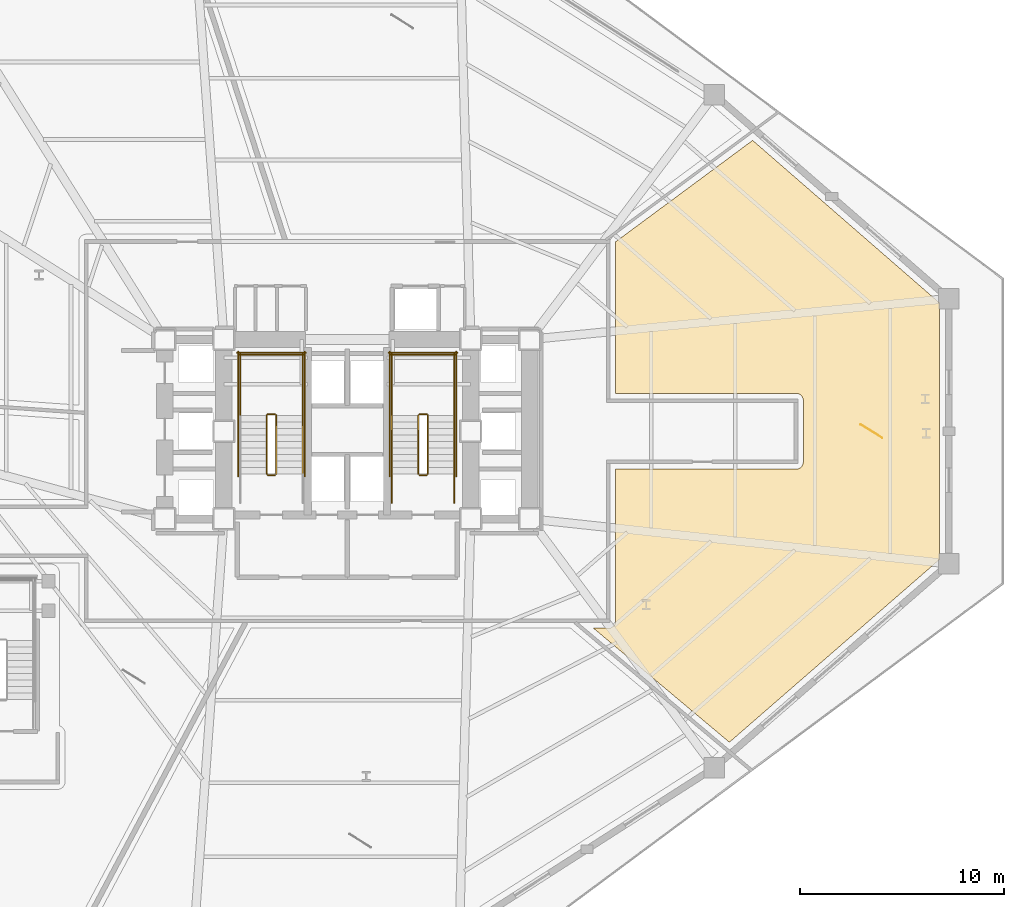
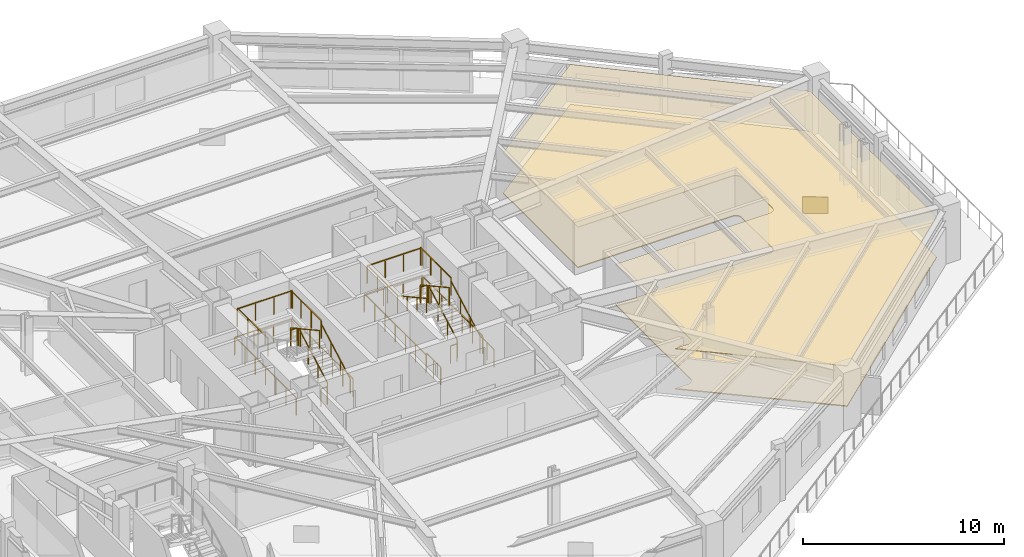
# One storey, part 11 of 12: 25 railings, 3 coverings.
"""IFC4 building model written with IfcOpenShell, lengths in metres."""

import ifcopenshell
import ifcopenshell.guid

model = None  # the IFC model being written
_history = None  # IfcOwnerHistory: only IFC2X3 demands one
_inside = {}  # id of a spatial element -> (the spatial element, [elements in it])
_under = {}  # id of a project, library or spatial element -> (it, [spatial elements below it])
_declared = {}  # id of a project -> (the project, [libraries it declares])
_typed = {}  # id of a type object -> (the type object, [elements of that type])
_made_of = {}  # id of a material, layer set ... -> (it, [elements and type objects made of it])


def new_model(schema):
    """Start an empty IFC model of exactly this schema.

    Asked for "IFC4X3", IfcOpenShell would pick the latest addendum, in which some entities
    have other attributes; the version numbers below select the first issue.
    IFC2X3 requires an IfcOwnerHistory on every rooted entity: one is made here for all.
    """
    global model, _history
    if schema == "IFC4X3":
        model = ifcopenshell.file(schema_version=(4, 3, 0, 0))
    else:
        model = ifcopenshell.file(schema=schema)
    _inside.clear()
    _under.clear()
    _declared.clear()
    _typed.clear()
    _made_of.clear()
    _history = None
    if model.schema == "IFC2X3":
        org = make("IfcOrganization", Name="unknown")
        user = make(
            "IfcPersonAndOrganization",
            ThePerson=make("IfcPerson", FamilyName="unknown"),
            TheOrganization=org,
        )
        app = make(
            "IfcApplication",
            ApplicationDeveloper=org,
            Version="unknown",
            ApplicationFullName="unknown",
            ApplicationIdentifier="unknown",
        )
        _history = make(
            "IfcOwnerHistory",
            OwningUser=user,
            OwningApplication=app,
            ChangeAction="ADDED",
            CreationDate=0,
        )
    return model


def make(cls, **values):
    """One entity of the class cls with the attributes given. An attribute that is None is left unset."""
    return model.create_entity(
        cls, **{name: value for name, value in values.items() if value is not None}
    )


def rooted(cls, **values):
    """An entity with a GlobalId (a new one), such as an element, a storey or a relation."""
    return make(cls, GlobalId=ifcopenshell.guid.new(), OwnerHistory=_history, **values)


def si_unit(unit_type, name, prefix=None):
    """IfcSIUnit, for example si_unit("LENGTHUNIT", "METRE", prefix="MILLI")."""
    return make("IfcSIUnit", UnitType=unit_type, Prefix=prefix, Name=name)


def assignment(units):
    """IfcUnitAssignment: the units of a project."""
    return None if units is None else make("IfcUnitAssignment", Units=units)


def point(xyz):
    """IfcCartesianPoint."""
    return None if xyz is None else make("IfcCartesianPoint", Coordinates=xyz)


def direction(xyz):
    """IfcDirection."""
    return None if xyz is None else make("IfcDirection", DirectionRatios=xyz)


def frame(location, z_axis=None, x_axis=None):
    """IfcAxis2Placement3D, a coordinate frame: its origin and axes. An axis left out is left unset."""
    return make(
        "IfcAxis2Placement3D",
        Location=point(location),
        Axis=direction(z_axis),
        RefDirection=direction(x_axis),
    )


def frame_2d(location, x_axis=None):
    """IfcAxis2Placement2D, a coordinate frame in the plane: its origin and x axis."""
    return make(
        "IfcAxis2Placement2D", Location=point(location), RefDirection=direction(x_axis)
    )


def origin():
    """The frame at (0, 0, 0) with its axes left unset."""
    return frame((0.0, 0.0, 0.0))


def origin_2d():
    """The frame at (0, 0) in the plane with its x axis left unset."""
    return frame_2d((0.0, 0.0))


def place(relative_to, where):
    """IfcLocalPlacement: puts the frame where relative to a parent placement (None: the world)."""
    return make(
        "IfcLocalPlacement", PlacementRelTo=relative_to, RelativePlacement=where
    )


def context(
    kind, dimensions, precision=None, world=None, true_north=None, identifier=None
):
    """IfcGeometricRepresentationContext, for example the 3D "Model" context."""
    return make(
        "IfcGeometricRepresentationContext",
        ContextIdentifier=identifier,
        ContextType=kind,
        CoordinateSpaceDimension=dimensions,
        Precision=precision,
        WorldCoordinateSystem=world,
        TrueNorth=true_north,
    )


def subcontext(parent, identifier, kind, view, scale=None):
    """IfcGeometricRepresentationSubContext, for example "Body" below "Model"."""
    return make(
        "IfcGeometricRepresentationSubContext",
        ContextIdentifier=identifier,
        ContextType=kind,
        ParentContext=parent,
        TargetScale=scale,
        TargetView=view,
    )


def project(units=None, contexts=None):
    """IfcProject with its units and contexts."""
    return rooted(
        "IfcProject",
        Name="project",
        RepresentationContexts=contexts,
        UnitsInContext=assignment(units),
    )


def spatial(cls, under=None, at=None, **own):
    """A site, building, storey or space (cls), placed at a placement, below another one or the project."""
    s = rooted(cls, ObjectPlacement=at, **own)
    if under is not None:
        _under.setdefault(under.id(), (under, []))[1].append(s)
    return s


def polyline(points):
    """IfcPolyline through the points."""
    return make("IfcPolyline", Points=[point(p) for p in points])


def profile(cls, at=None, kind="AREA", **sizes):
    """A parametric profile (cls). Its sizes go by their IFC names, for example OverallWidth=200.0."""
    return make(cls, ProfileType=kind, Position=at, **sizes)


def rectangle(**sizes):
    """IfcRectangleProfileDef."""
    return profile("IfcRectangleProfileDef", **sizes)


def outline(outer, holes=None, kind="AREA"):
    """IfcArbitraryClosedProfileDef: a profile drawn as a closed curve; with holes, ...WithVoids."""
    if holes is None:
        return make("IfcArbitraryClosedProfileDef", ProfileType=kind, OuterCurve=outer)
    return make(
        "IfcArbitraryProfileDefWithVoids",
        ProfileType=kind,
        OuterCurve=outer,
        InnerCurves=holes,
    )


def extrude(swept, where, along, depth):
    """IfcExtrudedAreaSolid: the profile swept, set in the frame where, extruded along a direction by depth."""
    return make(
        "IfcExtrudedAreaSolid",
        SweptArea=swept,
        Position=where,
        ExtrudedDirection=direction(along),
        Depth=depth,
    )


def shape(context_of_items, identifier, shape_type, items):
    """IfcShapeRepresentation: the items that make up one representation, for example the "Body"."""
    return make(
        "IfcShapeRepresentation",
        ContextOfItems=context_of_items,
        RepresentationIdentifier=identifier,
        RepresentationType=shape_type,
        Items=items,
    )


def material(Name=None, Category=None):
    """IfcMaterial."""
    return make("IfcMaterial", Name=Name, Category=Category)


def layer(
    of_material, thickness, ventilated=None, Name=None, Category=None, Priority=None
):
    """IfcMaterialLayer: one layer of a wall or slab, of a material (None: an air gap)."""
    return make(
        "IfcMaterialLayer",
        Material=of_material,
        LayerThickness=thickness,
        IsVentilated=ventilated,
        Name=Name,
        Category=Category,
        Priority=Priority,
    )


def layer_set(layers, Name=None):
    """IfcMaterialLayerSet."""
    return make("IfcMaterialLayerSet", MaterialLayers=layers, LayerSetName=Name)


def made_of(thing, what):
    """Note that an element or type object is made of a material, layer set ...; save() writes the relation."""
    if what is not None:
        _made_of.setdefault(what.id(), (what, []))[1].append(thing)
    return thing


def type_object(cls, material=None, **own):
    """A type object (cls), such as IfcWallType, which elements share."""
    return made_of(rooted(cls, **own), material)


def element(
    cls,
    number,
    at=None,
    inside=None,
    cuts=None,
    type_object=None,
    material=None,
    context=None,
    identifier="Body",
    shape_type=None,
    held_by="IfcProductDefinitionShape",
    body=None,
    shapes=None,
    **own,
):
    """One element of the class cls, such as IfcWall. Its Tag is "e" and its number.

    at: its placement. inside: the storey or other place that contains it. cuts: it is an
    opening in that element (IfcRelVoidsElement). A single representation is given by context,
    identifier, shape_type and body (its items); several are given by shapes. held_by: the class
    of the entity that holds the representations. save() writes the other relations.
    """
    e = rooted(cls, Tag="e%d" % number, ObjectPlacement=at, **own)
    if body is not None:
        shapes = [shape(context, identifier, shape_type, body)]
    if shapes is not None:
        e.Representation = make(held_by, Representations=shapes)
    if inside is not None:
        _inside.setdefault(inside.id(), (inside, []))[1].append(e)
    if cuts is not None:
        rooted(
            "IfcRelVoidsElement", RelatingBuildingElement=cuts, RelatedOpeningElement=e
        )
    if type_object is not None:
        _typed.setdefault(type_object.id(), (type_object, []))[1].append(e)
    return made_of(e, material)


def aggregate(whole, parts):
    """IfcRelAggregates: a whole, such as a stair, and the parts it consists of."""
    return rooted("IfcRelAggregates", RelatingObject=whole, RelatedObjects=parts)


def save(model, path):
    """Write the relations noted so far, then the file.

    IfcRelAggregates (storeys below a building ...), IfcRelContainedInSpatialStructure (elements
    in a storey), IfcRelDefinesByType, IfcRelAssociatesMaterial and IfcRelDeclares: one each for
    every whole, place, type object, material and project.
    """
    for whole, parts in _under.values():
        aggregate(whole, parts)
    for where, things in _inside.values():
        rooted(
            "IfcRelContainedInSpatialStructure",
            RelatedElements=things,
            RelatingStructure=where,
        )
    for kind, things in _typed.values():
        rooted("IfcRelDefinesByType", RelatedObjects=things, RelatingType=kind)
    for what, things in _made_of.values():
        rooted("IfcRelAssociatesMaterial", RelatedObjects=things, RelatingMaterial=what)
    for by, libraries in _declared.values():
        rooted("IfcRelDeclares", RelatingContext=by, RelatedDefinitions=libraries)
    model.write(path)


model = new_model("IFC4")

# Units and contexts
model_context = context("Model", 3, precision=1e-05, world=origin(), true_north=direction((0.0, 1.0)))
body_context = subcontext(model_context, "Body", "Model", "MODEL_VIEW")
ifc_project = project(units=[si_unit("LENGTHUNIT", "METRE"), si_unit("AREAUNIT", "SQUARE_METRE"), si_unit("VOLUMEUNIT", "CUBIC_METRE"), si_unit("PLANEANGLEUNIT", "RADIAN"), si_unit("MASSUNIT", "GRAM", prefix="KILO")], contexts=[model_context])

# Site, building, storey
site_placement = place(None, origin())
site = spatial("IfcSite", under=ifc_project, at=site_placement, CompositionType="ELEMENT")
building_placement = place(site_placement, origin())
building = spatial("IfcBuilding", under=site, at=building_placement, Name="Rocaltana Carrier Exchange", CompositionType="ELEMENT")
storey_placement = place(building_placement, frame((0.0, 0.0, 8.320068359375)))
storey = spatial("IfcBuildingStorey", under=building, at=storey_placement, Name="L03", CompositionType="ELEMENT", Elevation=8.320068359375)

# Coverings
ifc_material_1 = material(Name="Calcium Sulphate & Aluminium Pedestal", Category="aluminium")
ifc_layer_1 = layer(ifc_material_1, 0.06005859375)
ifc_layer_set_1 = layer_set([ifc_layer_1], Name="Calcium Sulphate & Aluminium Pedestal")
covering_type_1 = type_object("IfcCoveringType", Name="Anti-Static Raised Exchange Access Floor 60", PredefinedType="FLOORING", material=ifc_layer_set_1)
covering_1_placement = place(storey_placement, origin())
element("IfcCovering", 1, at=covering_1_placement, inside=storey, type_object=covering_type_1, Name="L03 Network Engineering Studio Finish Floor", PredefinedType="FLOORING", context=body_context, shape_type="SweptSolid", body=[
    extrude(outline(polyline([(13.159912109375, 9.2900390625), (19.875732421875, 14.259521484375), (29.0400390625, 6.290283203125), (29.0400390625, -6.290283203125), (18.7353515625, -15.2509765625), (12.072509765625, -9.659912109375), (12.800048828125, -9.659912109375), (12.813720703125, -9.65966796875), (12.821533203125, -9.6591796875), (12.848876953125, -9.656494140625), (12.856689453125, -9.655517578125), (12.883544921875, -9.650146484375), (12.891357421875, -9.648193359375), (12.91748046875, -9.64013671875), (12.9248046875, -9.637451171875), (12.9501953125, -9.626953125), (12.95751953125, -9.623779296875), (12.981689453125, -9.610595703125), (12.98828125, -9.606689453125), (13.01123046875, -9.59130859375), (13.017578125, -9.586669921875), (13.038818359375, -9.5693359375), (13.044677734375, -9.56396484375), (13.06396484375, -9.544677734375), (13.0693359375, -9.538818359375), (13.086669921875, -9.517578125), (13.09130859375, -9.51123046875), (13.106689453125, -9.48828125), (13.110595703125, -9.481689453125), (13.123779296875, -9.45751953125), (13.126953125, -9.4501953125), (13.137451171875, -9.4248046875), (13.14013671875, -9.41748046875), (13.148193359375, -9.391357421875), (13.150146484375, -9.383544921875), (13.155517578125, -9.356689453125), (13.156494140625, -9.348876953125), (13.1591796875, -9.321533203125), (13.15966796875, -9.313720703125), (13.159912109375, -9.300048828125), (13.159912109375, -1.860107421875), (22.0, -1.860107421875), (22.013671875, -1.859619140625), (22.021484375, -1.859375), (22.048828125, -1.856689453125), (22.056640625, -1.85546875), (22.08349609375, -1.85009765625), (22.09130859375, -1.84814453125), (22.11767578125, -1.840087890625), (22.125, -1.83740234375), (22.150390625, -1.826904296875), (22.157470703125, -1.82373046875), (22.181640625, -1.810791015625), (22.1884765625, -1.806640625), (22.211181640625, -1.79150390625), (22.217529296875, -1.78662109375), (22.23876953125, -1.769287109375), (22.24462890625, -1.763916015625), (22.263916015625, -1.74462890625), (22.269287109375, -1.73876953125), (22.28662109375, -1.717529296875), (22.29150390625, -1.711181640625), (22.306640625, -1.6884765625), (22.310791015625, -1.681640625), (22.32373046875, -1.657470703125), (22.326904296875, -1.650390625), (22.33740234375, -1.625), (22.340087890625, -1.61767578125), (22.34814453125, -1.59130859375), (22.35009765625, -1.58349609375), (22.35546875, -1.556640625), (22.356689453125, -1.548828125), (22.359375, -1.521484375), (22.359619140625, -1.513671875), (22.360107421875, -1.5), (22.360107421875, 1.5), (22.359619140625, 1.513671875), (22.359375, 1.521484375), (22.356689453125, 1.548828125), (22.35546875, 1.556640625), (22.35009765625, 1.58349609375), (22.34814453125, 1.59130859375), (22.340087890625, 1.61767578125), (22.33740234375, 1.625), (22.326904296875, 1.650390625), (22.32373046875, 1.657470703125), (22.310791015625, 1.681640625), (22.306640625, 1.6884765625), (22.29150390625, 1.711181640625), (22.28662109375, 1.717529296875), (22.269287109375, 1.73876953125), (22.263916015625, 1.74462890625), (22.24462890625, 1.763916015625), (22.23876953125, 1.769287109375), (22.217529296875, 1.78662109375), (22.211181640625, 1.79150390625), (22.1884765625, 1.806640625), (22.181640625, 1.810791015625), (22.157470703125, 1.82373046875), (22.150390625, 1.826904296875), (22.125, 1.83740234375), (22.11767578125, 1.840087890625), (22.09130859375, 1.84814453125), (22.08349609375, 1.85009765625), (22.056640625, 1.85546875), (22.048828125, 1.856689453125), (22.021484375, 1.859375), (22.013671875, 1.859619140625), (22.0, 1.860107421875), (13.159912109375, 1.860107421875), (13.159912109375, 9.2900390625)])), origin(), (0.0, 0.0, 1.0), 0.059814453125),
])
ifc_material_2 = material(Name="Mineral Fibre & Powder-Coated Aluminium", Category="aluminium")
ifc_layer_2 = layer(ifc_material_2, 0.044921875)
ifc_layer_set_2 = layer_set([ifc_layer_2], Name="Mineral Fibre & Powder-Coated Aluminium")
covering_type_2 = type_object("IfcCoveringType", Name="Micro-Perforated Acoustic Ceiling 45", PredefinedType="CEILING", material=ifc_layer_set_2)
covering_2_placement = place(storey_placement, frame((0.0, 0.0, 2.44287109375)))
element("IfcCovering", 2, at=covering_2_placement, inside=storey, type_object=covering_type_2, Name="L03 Network Engineering Studio Acoustic Ceiling", PredefinedType="CEILING", context=body_context, shape_type="SweptSolid", body=[
    extrude(outline(polyline([(13.159912109375, 9.2900390625), (19.875732421875, 14.259521484375), (29.0400390625, 6.290283203125), (29.0400390625, -6.290283203125), (18.7353515625, -15.2509765625), (12.072509765625, -9.659912109375), (12.800048828125, -9.659912109375), (12.813720703125, -9.65966796875), (12.821533203125, -9.6591796875), (12.848876953125, -9.656494140625), (12.856689453125, -9.655517578125), (12.883544921875, -9.650146484375), (12.891357421875, -9.648193359375), (12.91748046875, -9.64013671875), (12.9248046875, -9.637451171875), (12.9501953125, -9.626953125), (12.95751953125, -9.623779296875), (12.981689453125, -9.610595703125), (12.98828125, -9.606689453125), (13.01123046875, -9.59130859375), (13.017578125, -9.586669921875), (13.038818359375, -9.5693359375), (13.044677734375, -9.56396484375), (13.06396484375, -9.544677734375), (13.0693359375, -9.538818359375), (13.086669921875, -9.517578125), (13.09130859375, -9.51123046875), (13.106689453125, -9.48828125), (13.110595703125, -9.481689453125), (13.123779296875, -9.45751953125), (13.126953125, -9.4501953125), (13.137451171875, -9.4248046875), (13.14013671875, -9.41748046875), (13.148193359375, -9.391357421875), (13.150146484375, -9.383544921875), (13.155517578125, -9.356689453125), (13.156494140625, -9.348876953125), (13.1591796875, -9.321533203125), (13.15966796875, -9.313720703125), (13.159912109375, -9.300048828125), (13.159912109375, -1.860107421875), (22.0, -1.860107421875), (22.013671875, -1.859619140625), (22.021484375, -1.859375), (22.048828125, -1.856689453125), (22.056640625, -1.85546875), (22.08349609375, -1.85009765625), (22.09130859375, -1.84814453125), (22.11767578125, -1.840087890625), (22.125, -1.83740234375), (22.150390625, -1.826904296875), (22.157470703125, -1.82373046875), (22.181640625, -1.810791015625), (22.1884765625, -1.806640625), (22.211181640625, -1.79150390625), (22.217529296875, -1.78662109375), (22.23876953125, -1.769287109375), (22.24462890625, -1.763916015625), (22.263916015625, -1.74462890625), (22.269287109375, -1.73876953125), (22.28662109375, -1.717529296875), (22.29150390625, -1.711181640625), (22.306640625, -1.6884765625), (22.310791015625, -1.681640625), (22.32373046875, -1.657470703125), (22.326904296875, -1.650390625), (22.33740234375, -1.625), (22.340087890625, -1.61767578125), (22.34814453125, -1.59130859375), (22.35009765625, -1.58349609375), (22.35546875, -1.556640625), (22.356689453125, -1.548828125), (22.359375, -1.521484375), (22.359619140625, -1.513671875), (22.360107421875, -1.5), (22.360107421875, 1.5), (22.359619140625, 1.513671875), (22.359375, 1.521484375), (22.356689453125, 1.548828125), (22.35546875, 1.556640625), (22.35009765625, 1.58349609375), (22.34814453125, 1.59130859375), (22.340087890625, 1.61767578125), (22.33740234375, 1.625), (22.326904296875, 1.650390625), (22.32373046875, 1.657470703125), (22.310791015625, 1.681640625), (22.306640625, 1.6884765625), (22.29150390625, 1.711181640625), (22.28662109375, 1.717529296875), (22.269287109375, 1.73876953125), (22.263916015625, 1.74462890625), (22.24462890625, 1.763916015625), (22.23876953125, 1.769287109375), (22.217529296875, 1.78662109375), (22.211181640625, 1.79150390625), (22.1884765625, 1.806640625), (22.181640625, 1.810791015625), (22.157470703125, 1.82373046875), (22.150390625, 1.826904296875), (22.125, 1.83740234375), (22.11767578125, 1.840087890625), (22.09130859375, 1.84814453125), (22.08349609375, 1.85009765625), (22.056640625, 1.85546875), (22.048828125, 1.856689453125), (22.021484375, 1.859375), (22.013671875, 1.859619140625), (22.0, 1.860107421875), (13.159912109375, 1.860107421875), (13.159912109375, 9.2900390625)])), origin(), (0.0, 0.0, 1.0), 0.045166015625),
])

# Railings
ifc_material_3 = material(Name="Brushed Architectural Stainless Tube", Category="steel")
ifc_layer_3 = layer(ifc_material_3, 0.048095703125)
ifc_layer_set_3 = layer_set([ifc_layer_3], Name="Brushed Architectural Stainless Tube")
railing_type_1 = type_object("IfcRailingType", Name="Stair Wall Handrail 920", PredefinedType="HANDRAIL", material=ifc_layer_set_3)
for number, where, name in (
    (3, (-2.18994140625, -2.10009765625, 0.176025390625), "L03 ST-1 stair handrail 1"),
    (4, (5.25, -2.10009765625, 0.176025390625), "L03 ST-2 stair handrail 1"),
):
    element("IfcRailing", number, at=place(storey_placement, frame(where)), inside=storey, type_object=railing_type_1, Name=name, PredefinedType="HANDRAIL", context=body_context, shape_type="SweptSolid", body=[
        extrude(rectangle(XDim=0.048095703125, YDim=0.048095703125, at=origin_2d()), frame((0.0, 0.0, 0.8759765625), z_axis=(0.0, 0.876226885812, 0.481898790807), x_axis=(-1.0, 0.0, 0.0)), (0.0, 0.0, 1.0), 3.286865234375),
        extrude(rectangle(XDim=0.0419921875, YDim=0.0419921875, at=origin_2d()), origin(), (0.0, 0.0, 1.0), 0.851806640625),
        extrude(rectangle(XDim=0.0419921875, YDim=0.0419921875, at=origin_2d()), frame((0.0, 0.9599609375, 0.528076171875)), (0.0, 0.0, 1.0), 0.851806640625),
        extrude(rectangle(XDim=0.0419921875, YDim=0.0419921875, at=origin_2d()), frame((0.0, 1.920166015625, 1.055908203125)), (0.0, 0.0, 1.0), 0.851806640625),
        extrude(rectangle(XDim=0.0419921875, YDim=0.0419921875, at=origin_2d()), frame((0.0, 2.880126953125, 1.583984375)), (0.0, 0.0, 1.0), 0.851806640625),
    ])
railing_1_placement = place(storey_placement, frame((2.18994140625, 0.780029296875, 1.93603515625)))
element("IfcRailing", 5, at=railing_1_placement, inside=storey, type_object=railing_type_1, Name="L03 ST-2 stair handrail 2", PredefinedType="HANDRAIL", context=body_context, shape_type="SweptSolid", body=[
    extrude(rectangle(XDim=0.048095703125, YDim=0.048095703125, at=origin_2d()), frame((0.0, 0.0, 0.8759765625), z_axis=(0.0, -0.876226885812, 0.481898790807), x_axis=(1.0, 0.0, 0.0)), (0.0, 0.0, 1.0), 3.286865234375),
    extrude(rectangle(XDim=0.0419921875, YDim=0.0419921875, at=origin_2d()), origin(), (0.0, 0.0, 1.0), 0.851806640625),
    extrude(rectangle(XDim=0.0419921875, YDim=0.0419921875, at=origin_2d()), frame((0.0, -0.9599609375, 0.528076171875)), (0.0, 0.0, 1.0), 0.851806640625),
    extrude(rectangle(XDim=0.0419921875, YDim=0.0419921875, at=origin_2d()), frame((0.0, -1.920166015625, 1.055908203125)), (0.0, 0.0, 1.0), 0.851806640625),
    extrude(rectangle(XDim=0.0419921875, YDim=0.0419921875, at=origin_2d()), frame((0.0, -2.880126953125, 1.583984375)), (0.0, 0.0, 1.0), 0.851806640625),
])
ifc_material_4 = material(Name="Powder-Coated Aluminium 6063-T6", Category="aluminium")
ifc_layer_4 = layer(ifc_material_4, 0.048095703125)
ifc_layer_set_4 = layer_set([ifc_layer_4], Name="Powder-Coated Aluminium 6063-T6")
railing_type_2 = type_object("IfcRailingType", Name="Stair Well Guardrail 1100", PredefinedType="GUARDRAIL", material=ifc_layer_set_4)
railing_2_placement = place(storey_placement, frame((-3.489990234375, -2.10009765625, 0.176025390625)))
element("IfcRailing", 6, at=railing_2_placement, inside=storey, type_object=railing_type_2, Name="L03 ST-1 stair guard 1", PredefinedType="GUARDRAIL", context=body_context, shape_type="SweptSolid", body=[
    extrude(rectangle(XDim=0.048095703125, YDim=0.048095703125, at=origin_2d()), frame((0.0, 0.0, 1.076171875), z_axis=(0.0, 0.876226885812, 0.481898790807), x_axis=(-1.0, 0.0, 0.0)), (0.0, 0.0, 1.0), 3.286865234375),
    extrude(rectangle(XDim=0.0419921875, YDim=0.0419921875, at=origin_2d()), origin(), (0.0, 0.0, 1.0), 1.052001953125),
    extrude(rectangle(XDim=0.0419921875, YDim=0.0419921875, at=origin_2d()), frame((0.0, 0.9599609375, 0.528076171875)), (0.0, 0.0, 1.0), 1.052001953125),
    extrude(rectangle(XDim=0.0419921875, YDim=0.0419921875, at=origin_2d()), frame((0.0, 1.920166015625, 1.055908203125)), (0.0, 0.0, 1.0), 1.052001953125),
    extrude(rectangle(XDim=0.0419921875, YDim=0.0419921875, at=origin_2d()), frame((0.0, 2.880126953125, 1.583984375)), (0.0, 0.0, 1.0), 1.052001953125),
])
railing_3_placement = place(storey_placement, frame((-3.5400390625, 0.830078125, 1.760009765625)))
element("IfcRailing", 7, at=railing_3_placement, inside=storey, type_object=railing_type_2, Name="L03 ST-1 stair guard 2", PredefinedType="GUARDRAIL", context=body_context, shape_type="SweptSolid", body=[
    extrude(rectangle(XDim=0.048095703125, YDim=0.048095703125, at=origin_2d()), frame((0.0, 0.0, 1.076171875), z_axis=(-1.0, 0.0, 0.0), x_axis=(0.0, -1.0, 0.0)), (0.0, 0.0, 1.0), 0.35986328125),
    extrude(rectangle(XDim=0.0419921875, YDim=0.0419921875, at=origin_2d()), origin(), (0.0, 0.0, 1.0), 1.052001953125),
    extrude(rectangle(XDim=0.0419921875, YDim=0.0419921875, at=origin_2d()), frame((-0.35986328125, 0.0, 0.0)), (0.0, 0.0, 1.0), 1.052001953125),
])
for number, where, name in (
    (8, (-2.18994140625, 0.780029296875, 1.760009765625), "L03 ST-1 stair guard 3"),
    (9, (-5.25, 0.780029296875, 1.760009765625), "L03 ST-1 stair guard 4"),
):
    element("IfcRailing", number, at=place(storey_placement, frame(where)), inside=storey, type_object=railing_type_2, Name=name, PredefinedType="GUARDRAIL", context=body_context, shape_type="SweptSolid", body=[
        extrude(rectangle(XDim=0.048095703125, YDim=0.048095703125, at=origin_2d()), frame((0.0, 0.0, 1.076171875), z_axis=(0.0, 1.0, 0.0), x_axis=(-1.0, 0.0, 0.0)), (0.0, 0.0, 1.0), 3.02001953125),
        extrude(rectangle(XDim=0.0419921875, YDim=0.0419921875, at=origin_2d()), origin(), (0.0, 0.0, 1.0), 1.052001953125),
        extrude(rectangle(XDim=0.0419921875, YDim=0.0419921875, at=origin_2d()), frame((0.0, 1.006591796875, 0.0)), (0.0, 0.0, 1.0), 1.052001953125),
        extrude(rectangle(XDim=0.0419921875, YDim=0.0419921875, at=origin_2d()), frame((0.0, 2.013427734375, 0.0)), (0.0, 0.0, 1.0), 1.052001953125),
        extrude(rectangle(XDim=0.0419921875, YDim=0.0419921875, at=origin_2d()), frame((0.0, 3.02001953125, 0.0)), (0.0, 0.0, 1.0), 1.052001953125),
    ])
railing_4_placement = place(storey_placement, frame((-2.139892578125, 3.75, 1.760009765625)))
element("IfcRailing", 10, at=railing_4_placement, inside=storey, type_object=railing_type_2, Name="L03 ST-1 stair guard 5", PredefinedType="GUARDRAIL", context=body_context, shape_type="SweptSolid", body=[
    extrude(rectangle(XDim=0.048095703125, YDim=0.048095703125, at=origin_2d()), frame((0.0, 0.0, 1.076171875), z_axis=(-1.0, 0.0, 0.0), x_axis=(0.0, -1.0, 0.0)), (0.0, 0.0, 1.0), 3.16015625),
    extrude(rectangle(XDim=0.0419921875, YDim=0.0419921875, at=origin_2d()), origin(), (0.0, 0.0, 1.0), 1.052001953125),
    extrude(rectangle(XDim=0.0419921875, YDim=0.0419921875, at=origin_2d()), frame((-1.053466796875, 0.0, 0.0)), (0.0, 0.0, 1.0), 1.052001953125),
    extrude(rectangle(XDim=0.0419921875, YDim=0.0419921875, at=origin_2d()), frame((-2.106689453125, 0.0, 0.0)), (0.0, 0.0, 1.0), 1.052001953125),
    extrude(rectangle(XDim=0.0419921875, YDim=0.0419921875, at=origin_2d()), frame((-3.16015625, 0.0, 0.0)), (0.0, 0.0, 1.0), 1.052001953125),
])
railing_5_placement = place(storey_placement, frame((-3.949951171875, 0.780029296875, 1.93603515625)))
element("IfcRailing", 11, at=railing_5_placement, inside=storey, type_object=railing_type_2, Name="L03 ST-1 stair guard 6", PredefinedType="GUARDRAIL", context=body_context, shape_type="SweptSolid", body=[
    extrude(rectangle(XDim=0.048095703125, YDim=0.048095703125, at=origin_2d()), frame((0.0, 0.0, 1.076171875), z_axis=(0.0, -0.876226885812, 0.481898790807), x_axis=(1.0, 0.0, 0.0)), (0.0, 0.0, 1.0), 3.286865234375),
    extrude(rectangle(XDim=0.0419921875, YDim=0.0419921875, at=origin_2d()), origin(), (0.0, 0.0, 1.0), 1.052001953125),
    extrude(rectangle(XDim=0.0419921875, YDim=0.0419921875, at=origin_2d()), frame((0.0, -0.9599609375, 0.528076171875)), (0.0, 0.0, 1.0), 1.052001953125),
    extrude(rectangle(XDim=0.0419921875, YDim=0.0419921875, at=origin_2d()), frame((0.0, -1.920166015625, 1.055908203125)), (0.0, 0.0, 1.0), 1.052001953125),
    extrude(rectangle(XDim=0.0419921875, YDim=0.0419921875, at=origin_2d()), frame((0.0, -2.880126953125, 1.583984375)), (0.0, 0.0, 1.0), 1.052001953125),
])
railing_6_placement = place(storey_placement, frame((-3.5400390625, -2.14990234375, 0.0)))
element("IfcRailing", 12, at=railing_6_placement, inside=storey, type_object=railing_type_2, Name="L03 ST-1 stair guard 7", PredefinedType="GUARDRAIL", context=body_context, shape_type="SweptSolid", body=[
    extrude(rectangle(XDim=0.048095703125, YDim=0.048095703125, at=origin_2d()), frame((0.0, 0.0, 1.076171875), z_axis=(-1.0, 0.0, 0.0), x_axis=(0.0, -1.0, 0.0)), (0.0, 0.0, 1.0), 0.35986328125),
    extrude(rectangle(XDim=0.0419921875, YDim=0.0419921875, at=origin_2d()), origin(), (0.0, 0.0, 1.0), 1.052001953125),
    extrude(rectangle(XDim=0.0419921875, YDim=0.0419921875, at=origin_2d()), frame((-0.35986328125, 0.0, 0.0)), (0.0, 0.0, 1.0), 1.052001953125),
])
for number, where, name in (
    (13, (-2.090087890625, -2.199951171875, 0.0), "L03 ST-1 stair guard 10"),
    (14, (-5.35009765625, -2.199951171875, 0.0), "L03 ST-1 stair guard 11"),
):
    element("IfcRailing", number, at=place(storey_placement, frame(where)), inside=storey, type_object=railing_type_2, Name=name, PredefinedType="GUARDRAIL", context=body_context, shape_type="SweptSolid", body=[
        extrude(rectangle(XDim=0.048095703125, YDim=0.048095703125, at=origin_2d()), frame((0.0, 0.0, 1.076171875), z_axis=(0.0, 1.0, 0.0), x_axis=(-1.0, 0.0, 0.0)), (0.0, 0.0, 1.0), 6.099853515625),
        extrude(rectangle(XDim=0.0419921875, YDim=0.0419921875, at=origin_2d()), origin(), (0.0, 0.0, 1.0), 1.052001953125),
        extrude(rectangle(XDim=0.0419921875, YDim=0.0419921875, at=origin_2d()), frame((0.0, 1.0166015625, 0.0)), (0.0, 0.0, 1.0), 1.052001953125),
        extrude(rectangle(XDim=0.0419921875, YDim=0.0419921875, at=origin_2d()), frame((0.0, 2.033203125, 0.0)), (0.0, 0.0, 1.0), 1.052001953125),
        extrude(rectangle(XDim=0.0419921875, YDim=0.0419921875, at=origin_2d()), frame((0.0, 3.0498046875, 0.0)), (0.0, 0.0, 1.0), 1.052001953125),
        extrude(rectangle(XDim=0.0419921875, YDim=0.0419921875, at=origin_2d()), frame((0.0, 4.066650390625, 0.0)), (0.0, 0.0, 1.0), 1.052001953125),
        extrude(rectangle(XDim=0.0419921875, YDim=0.0419921875, at=origin_2d()), frame((0.0, 5.083251953125, 0.0)), (0.0, 0.0, 1.0), 1.052001953125),
        extrude(rectangle(XDim=0.0419921875, YDim=0.0419921875, at=origin_2d()), frame((0.0, 6.099853515625, 0.0)), (0.0, 0.0, 1.0), 1.052001953125),
    ])
railing_7_placement = place(storey_placement, frame((-2.0400390625, 3.85009765625, 0.0)))
element("IfcRailing", 15, at=railing_7_placement, inside=storey, type_object=railing_type_2, Name="L03 ST-1 stair guard 12", PredefinedType="GUARDRAIL", context=body_context, shape_type="SweptSolid", body=[
    extrude(rectangle(XDim=0.048095703125, YDim=0.048095703125, at=origin_2d()), frame((0.0, 0.0, 1.076171875), z_axis=(-1.0, 0.0, 0.0), x_axis=(0.0, -1.0, 0.0)), (0.0, 0.0, 1.0), 3.35986328125),
    extrude(rectangle(XDim=0.0419921875, YDim=0.0419921875, at=origin_2d()), origin(), (0.0, 0.0, 1.0), 1.052001953125),
    extrude(rectangle(XDim=0.0419921875, YDim=0.0419921875, at=origin_2d()), frame((-1.119873046875, 0.0, 0.0)), (0.0, 0.0, 1.0), 1.052001953125),
    extrude(rectangle(XDim=0.0419921875, YDim=0.0419921875, at=origin_2d()), frame((-2.239990234375, 0.0, 0.0)), (0.0, 0.0, 1.0), 1.052001953125),
    extrude(rectangle(XDim=0.0419921875, YDim=0.0419921875, at=origin_2d()), frame((-3.35986328125, 0.0, 0.0)), (0.0, 0.0, 1.0), 1.052001953125),
])
railing_8_placement = place(storey_placement, frame((3.949951171875, -2.10009765625, 0.176025390625)))
element("IfcRailing", 16, at=railing_8_placement, inside=storey, type_object=railing_type_2, Name="L03 ST-2 stair guard 1", PredefinedType="GUARDRAIL", context=body_context, shape_type="SweptSolid", body=[
    extrude(rectangle(XDim=0.048095703125, YDim=0.048095703125, at=origin_2d()), frame((0.0, 0.0, 1.076171875), z_axis=(0.0, 0.876226885812, 0.481898790807), x_axis=(-1.0, 0.0, 0.0)), (0.0, 0.0, 1.0), 3.286865234375),
    extrude(rectangle(XDim=0.0419921875, YDim=0.0419921875, at=origin_2d()), origin(), (0.0, 0.0, 1.0), 1.052001953125),
    extrude(rectangle(XDim=0.0419921875, YDim=0.0419921875, at=origin_2d()), frame((0.0, 0.9599609375, 0.528076171875)), (0.0, 0.0, 1.0), 1.052001953125),
    extrude(rectangle(XDim=0.0419921875, YDim=0.0419921875, at=origin_2d()), frame((0.0, 1.920166015625, 1.055908203125)), (0.0, 0.0, 1.0), 1.052001953125),
    extrude(rectangle(XDim=0.0419921875, YDim=0.0419921875, at=origin_2d()), frame((0.0, 2.880126953125, 1.583984375)), (0.0, 0.0, 1.0), 1.052001953125),
])
railing_9_placement = place(storey_placement, frame((3.89990234375, 0.830078125, 1.760009765625)))
element("IfcRailing", 17, at=railing_9_placement, inside=storey, type_object=railing_type_2, Name="L03 ST-2 stair guard 2", PredefinedType="GUARDRAIL", context=body_context, shape_type="SweptSolid", body=[
    extrude(rectangle(XDim=0.048095703125, YDim=0.048095703125, at=origin_2d()), frame((0.0, 0.0, 1.076171875), z_axis=(-1.0, 0.0, 0.0), x_axis=(0.0, -1.0, 0.0)), (0.0, 0.0, 1.0), 0.35986328125),
    extrude(rectangle(XDim=0.0419921875, YDim=0.0419921875, at=origin_2d()), origin(), (0.0, 0.0, 1.0), 1.052001953125),
    extrude(rectangle(XDim=0.0419921875, YDim=0.0419921875, at=origin_2d()), frame((-0.35986328125, 0.0, 0.0)), (0.0, 0.0, 1.0), 1.052001953125),
])
for number, where, name in (
    (18, (5.25, 0.780029296875, 1.760009765625), "L03 ST-2 stair guard 3"),
    (19, (2.18994140625, 0.780029296875, 1.760009765625), "L03 ST-2 stair guard 4"),
):
    element("IfcRailing", number, at=place(storey_placement, frame(where)), inside=storey, type_object=railing_type_2, Name=name, PredefinedType="GUARDRAIL", context=body_context, shape_type="SweptSolid", body=[
        extrude(rectangle(XDim=0.048095703125, YDim=0.048095703125, at=origin_2d()), frame((0.0, 0.0, 1.076171875), z_axis=(0.0, 1.0, 0.0), x_axis=(-1.0, 0.0, 0.0)), (0.0, 0.0, 1.0), 3.02001953125),
        extrude(rectangle(XDim=0.0419921875, YDim=0.0419921875, at=origin_2d()), origin(), (0.0, 0.0, 1.0), 1.052001953125),
        extrude(rectangle(XDim=0.0419921875, YDim=0.0419921875, at=origin_2d()), frame((0.0, 1.006591796875, 0.0)), (0.0, 0.0, 1.0), 1.052001953125),
        extrude(rectangle(XDim=0.0419921875, YDim=0.0419921875, at=origin_2d()), frame((0.0, 2.013427734375, 0.0)), (0.0, 0.0, 1.0), 1.052001953125),
        extrude(rectangle(XDim=0.0419921875, YDim=0.0419921875, at=origin_2d()), frame((0.0, 3.02001953125, 0.0)), (0.0, 0.0, 1.0), 1.052001953125),
    ])
railing_10_placement = place(storey_placement, frame((5.300048828125, 3.75, 1.760009765625)))
element("IfcRailing", 20, at=railing_10_placement, inside=storey, type_object=railing_type_2, Name="L03 ST-2 stair guard 5", PredefinedType="GUARDRAIL", context=body_context, shape_type="SweptSolid", body=[
    extrude(rectangle(XDim=0.048095703125, YDim=0.048095703125, at=origin_2d()), frame((0.0, 0.0, 1.076171875), z_axis=(-1.0, 0.0, 0.0), x_axis=(0.0, -1.0, 0.0)), (0.0, 0.0, 1.0), 3.16015625),
    extrude(rectangle(XDim=0.0419921875, YDim=0.0419921875, at=origin_2d()), origin(), (0.0, 0.0, 1.0), 1.052001953125),
    extrude(rectangle(XDim=0.0419921875, YDim=0.0419921875, at=origin_2d()), frame((-1.053466796875, 0.0, 0.0)), (0.0, 0.0, 1.0), 1.052001953125),
    extrude(rectangle(XDim=0.0419921875, YDim=0.0419921875, at=origin_2d()), frame((-2.106689453125, 0.0, 0.0)), (0.0, 0.0, 1.0), 1.052001953125),
    extrude(rectangle(XDim=0.0419921875, YDim=0.0419921875, at=origin_2d()), frame((-3.16015625, 0.0, 0.0)), (0.0, 0.0, 1.0), 1.052001953125),
])
railing_11_placement = place(storey_placement, frame((3.489990234375, 0.780029296875, 1.93603515625)))
element("IfcRailing", 21, at=railing_11_placement, inside=storey, type_object=railing_type_2, Name="L03 ST-2 stair guard 6", PredefinedType="GUARDRAIL", context=body_context, shape_type="SweptSolid", body=[
    extrude(rectangle(XDim=0.048095703125, YDim=0.048095703125, at=origin_2d()), frame((0.0, 0.0, 1.076171875), z_axis=(0.0, -0.876226885812, 0.481898790807), x_axis=(1.0, 0.0, 0.0)), (0.0, 0.0, 1.0), 3.286865234375),
    extrude(rectangle(XDim=0.0419921875, YDim=0.0419921875, at=origin_2d()), origin(), (0.0, 0.0, 1.0), 1.052001953125),
    extrude(rectangle(XDim=0.0419921875, YDim=0.0419921875, at=origin_2d()), frame((0.0, -0.9599609375, 0.528076171875)), (0.0, 0.0, 1.0), 1.052001953125),
    extrude(rectangle(XDim=0.0419921875, YDim=0.0419921875, at=origin_2d()), frame((0.0, -1.920166015625, 1.055908203125)), (0.0, 0.0, 1.0), 1.052001953125),
    extrude(rectangle(XDim=0.0419921875, YDim=0.0419921875, at=origin_2d()), frame((0.0, -2.880126953125, 1.583984375)), (0.0, 0.0, 1.0), 1.052001953125),
])
railing_12_placement = place(storey_placement, frame((3.89990234375, -2.14990234375, 0.0)))
element("IfcRailing", 22, at=railing_12_placement, inside=storey, type_object=railing_type_2, Name="L03 ST-2 stair guard 7", PredefinedType="GUARDRAIL", context=body_context, shape_type="SweptSolid", body=[
    extrude(rectangle(XDim=0.048095703125, YDim=0.048095703125, at=origin_2d()), frame((0.0, 0.0, 1.076171875), z_axis=(-1.0, 0.0, 0.0), x_axis=(0.0, -1.0, 0.0)), (0.0, 0.0, 1.0), 0.35986328125),
    extrude(rectangle(XDim=0.0419921875, YDim=0.0419921875, at=origin_2d()), origin(), (0.0, 0.0, 1.0), 1.052001953125),
    extrude(rectangle(XDim=0.0419921875, YDim=0.0419921875, at=origin_2d()), frame((-0.35986328125, 0.0, 0.0)), (0.0, 0.0, 1.0), 1.052001953125),
])
for number, where, name in (
    (23, (5.25, -3.5, 0.0), "L03 ST-2 stair guard 8"),
    (24, (2.18994140625, -3.5, 0.0), "L03 ST-2 stair guard 9"),
):
    element("IfcRailing", number, at=place(storey_placement, frame(where)), inside=storey, type_object=railing_type_2, Name=name, PredefinedType="GUARDRAIL", context=body_context, shape_type="SweptSolid", body=[
        extrude(rectangle(XDim=0.048095703125, YDim=0.048095703125, at=origin_2d()), frame((0.0, 0.0, 1.076171875), z_axis=(0.0, 1.0, 0.0), x_axis=(-1.0, 0.0, 0.0)), (0.0, 0.0, 1.0), 1.39990234375),
        extrude(rectangle(XDim=0.0419921875, YDim=0.0419921875, at=origin_2d()), origin(), (0.0, 0.0, 1.0), 1.052001953125),
        extrude(rectangle(XDim=0.0419921875, YDim=0.0419921875, at=origin_2d()), frame((0.0, 0.699951171875, 0.0)), (0.0, 0.0, 1.0), 1.052001953125),
        extrude(rectangle(XDim=0.0419921875, YDim=0.0419921875, at=origin_2d()), frame((0.0, 1.39990234375, 0.0)), (0.0, 0.0, 1.0), 1.052001953125),
    ])
for number, where, name in (
    (25, (5.35009765625, -2.199951171875, 0.0), "L03 ST-2 stair guard 10"),
    (26, (2.090087890625, -2.199951171875, 0.0), "L03 ST-2 stair guard 11"),
):
    element("IfcRailing", number, at=place(storey_placement, frame(where)), inside=storey, type_object=railing_type_2, Name=name, PredefinedType="GUARDRAIL", context=body_context, shape_type="SweptSolid", body=[
        extrude(rectangle(XDim=0.048095703125, YDim=0.048095703125, at=origin_2d()), frame((0.0, 0.0, 1.076171875), z_axis=(0.0, 1.0, 0.0), x_axis=(-1.0, 0.0, 0.0)), (0.0, 0.0, 1.0), 6.099853515625),
        extrude(rectangle(XDim=0.0419921875, YDim=0.0419921875, at=origin_2d()), origin(), (0.0, 0.0, 1.0), 1.052001953125),
        extrude(rectangle(XDim=0.0419921875, YDim=0.0419921875, at=origin_2d()), frame((0.0, 1.0166015625, 0.0)), (0.0, 0.0, 1.0), 1.052001953125),
        extrude(rectangle(XDim=0.0419921875, YDim=0.0419921875, at=origin_2d()), frame((0.0, 2.033203125, 0.0)), (0.0, 0.0, 1.0), 1.052001953125),
        extrude(rectangle(XDim=0.0419921875, YDim=0.0419921875, at=origin_2d()), frame((0.0, 3.0498046875, 0.0)), (0.0, 0.0, 1.0), 1.052001953125),
        extrude(rectangle(XDim=0.0419921875, YDim=0.0419921875, at=origin_2d()), frame((0.0, 4.066650390625, 0.0)), (0.0, 0.0, 1.0), 1.052001953125),
        extrude(rectangle(XDim=0.0419921875, YDim=0.0419921875, at=origin_2d()), frame((0.0, 5.083251953125, 0.0)), (0.0, 0.0, 1.0), 1.052001953125),
        extrude(rectangle(XDim=0.0419921875, YDim=0.0419921875, at=origin_2d()), frame((0.0, 6.099853515625, 0.0)), (0.0, 0.0, 1.0), 1.052001953125),
    ])
railing_13_placement = place(storey_placement, frame((5.39990234375, 3.85009765625, 0.0)))
element("IfcRailing", 27, at=railing_13_placement, inside=storey, type_object=railing_type_2, Name="L03 ST-2 stair guard 12", PredefinedType="GUARDRAIL", context=body_context, shape_type="SweptSolid", body=[
    extrude(rectangle(XDim=0.048095703125, YDim=0.048095703125, at=origin_2d()), frame((0.0, 0.0, 1.076171875), z_axis=(-1.0, 0.0, 0.0), x_axis=(0.0, -1.0, 0.0)), (0.0, 0.0, 1.0), 3.35986328125),
    extrude(rectangle(XDim=0.0419921875, YDim=0.0419921875, at=origin_2d()), origin(), (0.0, 0.0, 1.0), 1.052001953125),
    extrude(rectangle(XDim=0.0419921875, YDim=0.0419921875, at=origin_2d()), frame((-1.119873046875, 0.0, 0.0)), (0.0, 0.0, 1.0), 1.052001953125),
    extrude(rectangle(XDim=0.0419921875, YDim=0.0419921875, at=origin_2d()), frame((-2.239990234375, 0.0, 0.0)), (0.0, 0.0, 1.0), 1.052001953125),
    extrude(rectangle(XDim=0.0419921875, YDim=0.0419921875, at=origin_2d()), frame((-3.35986328125, 0.0, 0.0)), (0.0, 0.0, 1.0), 1.052001953125),
])

# Covering
ifc_material_5 = material(Name="Honed Piedra Muneca Sandstone", Category="masonry")
ifc_layer_5 = layer(ifc_material_5, 0.034912109375)
ifc_layer_set_5 = layer_set([ifc_layer_5], Name="Honed Piedra Muneca Sandstone")
covering_type_3 = type_object("IfcCoveringType", Name="Stone Facade Cladding 35", PredefinedType="CLADDING", material=ifc_layer_set_5)
covering_3_placement = place(storey_placement, frame((25.699951171875, 0.0, 0.0), z_axis=(0.0, 0.0, 1.0), x_axis=(-0.848048096156, 0.529919264233, 0.0)))
element("IfcCovering", 28, at=covering_3_placement, inside=storey, type_object=covering_type_3, Name="L03 Stone Facade Cladding Panel 3", PredefinedType="CLADDING", context=body_context, shape_type="SweptSolid", body=[
    extrude(rectangle(XDim=1.25, YDim=0.034912109375, at=origin_2d()), origin(), (0.0, 0.0, 1.0), 1.050048828125),
])

save(model, "model.ifc")
